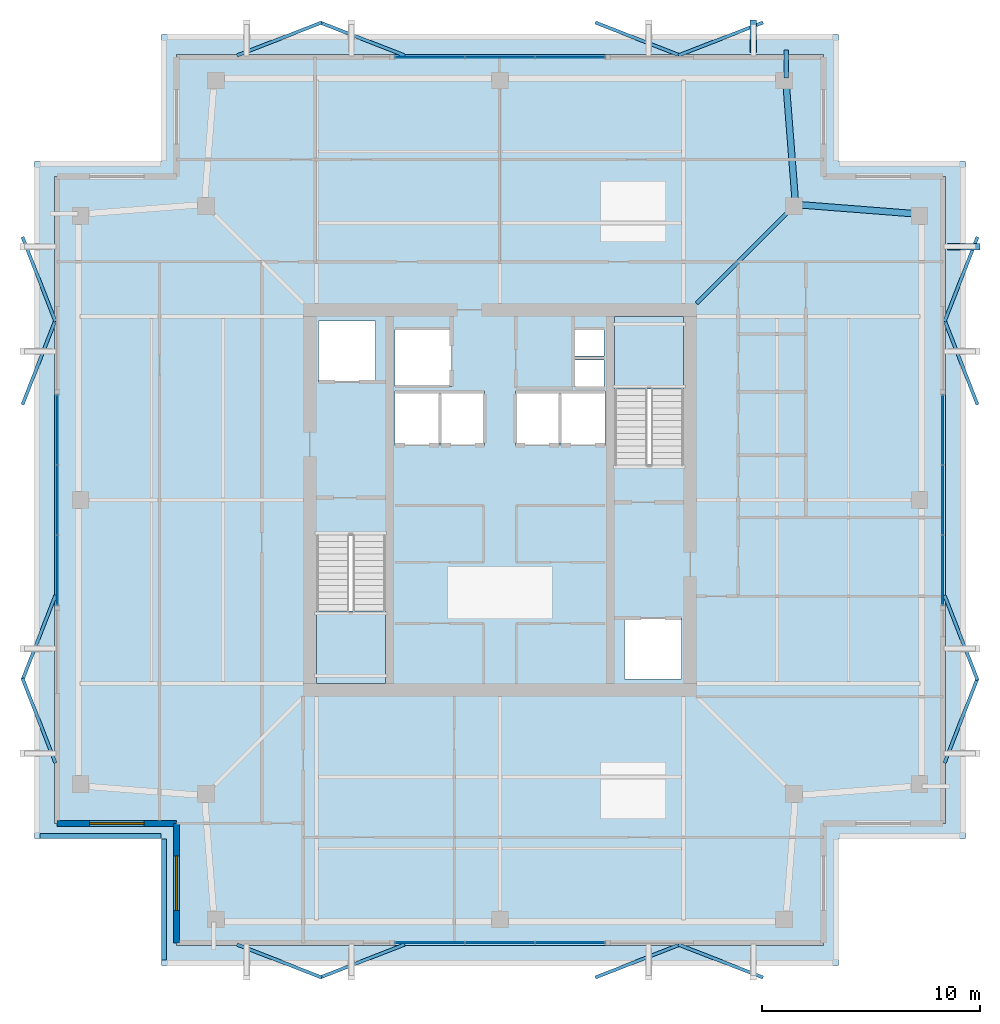
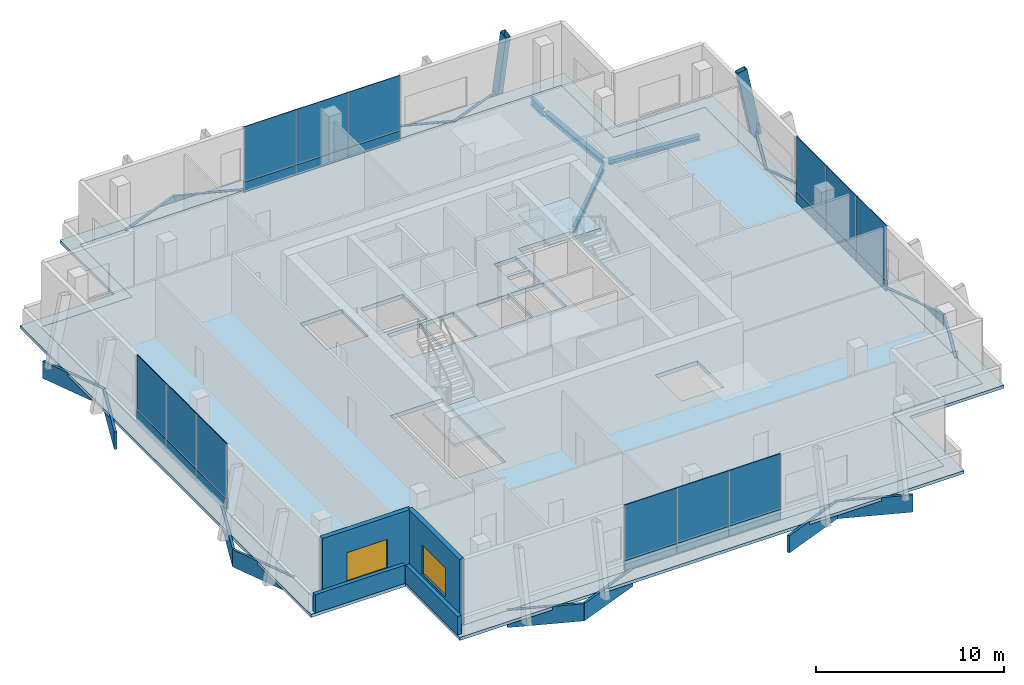
# One storey, part 12 of 17: 40 plates, 4 beams, 4 slabs, 4 walls, 2 members, 2 windows, 2 openings, 6 elements without a shape of their own.
"""IFC4 building model written with IfcOpenShell, lengths in metres."""

from ifc_helpers import new_model, si_unit, direction, frame, frame_2d, origin, origin_2d, place, context, subcontext, project, spatial, polyline, rectangle, hollow_rectangle, i_section, outline, extrude, material, layer, layer_set, material_profile, profile_set, type_object, element, fill, aggregate, save


model = new_model("IFC4")

# Units and contexts
model_context = context("Model", 3, precision=1e-05, world=origin(), true_north=direction((0.0, 1.0)))
body_context = subcontext(model_context, "Body", "Model", "MODEL_VIEW")
ifc_project = project(units=[si_unit("LENGTHUNIT", "METRE"), si_unit("AREAUNIT", "SQUARE_METRE"), si_unit("VOLUMEUNIT", "CUBIC_METRE"), si_unit("PLANEANGLEUNIT", "RADIAN"), si_unit("MASSUNIT", "GRAM", prefix="KILO")], contexts=[model_context])

# Site, building, storey
site_placement = place(None, origin())
site = spatial("IfcSite", under=ifc_project, at=site_placement, CompositionType="ELEMENT")
building_placement = place(site_placement, origin())
building = spatial("IfcBuilding", under=site, at=building_placement, Name="Belovzor Exchange Tower", CompositionType="ELEMENT")
storey_placement = place(building_placement, frame((0.0, 0.0, 355.5)))
storey = spatial("IfcBuildingStorey", under=building, at=storey_placement, Name="L89", CompositionType="ELEMENT", Elevation=355.5)

# Beam
ifc_material_1 = material(Name="Steel S355", Category="steel")
ifc_material_profile_1 = material_profile(ifc_material_1, i_section(OverallWidth=0.199951171875, OverallDepth=0.5, WebThickness=0.01025390625, FlangeThickness=0.01611328125, at=origin_2d()))
ifc_profile_set_1 = profile_set([ifc_material_profile_1], Name="Steel S355")
beam_type_1 = type_object("IfcBeamType", Name="Planted Balcony Cantilever Beam IPE 500", PredefinedType="BEAM", material=ifc_profile_set_1)
beam_1_placement = place(storey_placement, frame((41.89501953125, 48.1220703125, -0.510009765625), z_axis=(0.0, 1.0, 0.0), x_axis=(-1.0, 0.0, 0.0)))
element("IfcBeam", 1, at=beam_1_placement, inside=storey, type_object=beam_type_1, Name="BC-500 Planted Balcony Cantilever Beam IPE 500", PredefinedType="BEAM", context=body_context, shape_type="SweptSolid", body=[
    extrude(i_section(OverallWidth=0.199951171875, OverallDepth=0.5, WebThickness=0.01025390625, FlangeThickness=0.01611328125, at=origin_2d()), origin(), (0.0, 0.0, 1.0), 1.27783203125),
])

# Members
ifc_material_2 = material(Name="Extruded Architectural Terracotta on Steel S355 Carrier", Category="masonry")
ifc_material_profile_2 = material_profile(ifc_material_2, hollow_rectangle(XDim=0.300048828125, YDim=0.60009765625, WallThickness=0.01611328125, at=origin_2d()))
ifc_profile_set_2 = profile_set([ifc_material_profile_2], Name="Extruded Architectural Terracotta on Steel S355 Carrier")
member_type = type_object("IfcMemberType", Name="Upper Crown Terracotta Fin Assembly 550", PredefinedType="USERDEFINED", material=ifc_profile_set_2)
for number, where, z_axis, x_axis, name in (
    (2, (40.39990234375, 50.47509765625, -0.260009765625), (0.0, -0.196146827104, 0.980574536798), (1.0, 0.0, 0.0), "FIN-TC055 Terracotta Facade Fin L89 N4"),
    (3, (50.47509765625, 40.39990234375, -0.260009765625), (-0.196146827104, 0.0, 0.980574536798), (0.0, -1.0, 0.0), "FIN-TC055 Terracotta Facade Fin L89 E4"),
):
    element("IfcMember", number, at=place(storey_placement, frame(where, z_axis=z_axis, x_axis=x_axis)), inside=storey, type_object=member_type, Name=name, ObjectType="FIN", PredefinedType="USERDEFINED", context=body_context, shape_type="SweptSolid", body=[
        extrude(hollow_rectangle(XDim=0.300048828125, YDim=0.60009765625, WallThickness=0.01611328125, at=origin_2d()), origin(), (0.0, 0.0, 1.0), 4.589111328125),
    ])

# Beams
ifc_material_3 = material(Name="Steel S355", Category="steel")
ifc_material_profile_3 = material_profile(ifc_material_3, i_section(OverallWidth=0.179931640625, OverallDepth=0.39990234375, WebThickness=0.008544921875, FlangeThickness=0.013427734375, at=origin_2d()))
ifc_profile_set_3 = profile_set([ifc_material_profile_3], Name="Steel S355")
beam_type_2 = type_object("IfcBeamType", Name="Zone 5-6 Radial Composite Floor Beam IPE 400", PredefinedType="BEAM", material=ifc_profile_set_3)
beam_2_placement = place(storey_placement, frame((37.800048828125, 37.800048828125, -0.4599609375), z_axis=(0.707106781187, 0.707106781187, 0.0), x_axis=(-0.707106781187, 0.707106781187, 0.0)))
element("IfcBeam", 4, at=beam_2_placement, inside=storey, type_object=beam_type_2, Name="FB-400 Zone 5-6 Radial Composite Floor Beam IPE 400", PredefinedType="BEAM", context=body_context, shape_type="SweptSolid", body=[
    extrude(i_section(OverallWidth=0.179931640625, OverallDepth=0.39990234375, WebThickness=0.008544921875, FlangeThickness=0.013427734375, at=origin_2d()), origin(), (0.0, 0.0, 1.0), 6.119140625),
])
ifc_material_4 = material(Name="Steel S355", Category="steel")
ifc_material_profile_4 = material_profile(ifc_material_4, i_section(OverallWidth=0.300048828125, OverallDepth=0.300048828125, WebThickness=0.008544921875, FlangeThickness=0.013916015625, at=origin_2d()))
ifc_profile_set_4 = profile_set([ifc_material_profile_4], Name="Steel S355")
beam_type_3 = type_object("IfcBeamType", Name="Zone 6 Primary Girder HEA 300", PredefinedType="BEAM", material=ifc_profile_set_4)
for number, where, z_axis, x_axis, name in (
    (5, (47.87890625, 41.89404296875, -0.409912109375), (-0.996971216158, 0.077771422465, 0.0), (-0.077771422465, -0.996971216158, 0.0), "FG-Z6 Zone 6 Primary Girder HEA 300"),
    (6, (42.31005859375, 42.5458984375, -0.409912109375), (-0.077771422465, 0.996971216158, 0.0), (-0.996971216158, -0.077771422465, 0.0), "FG-Z6 Zone 6 Primary Girder HEA 300"),
):
    element("IfcBeam", number, at=place(storey_placement, frame(where, z_axis=z_axis, x_axis=x_axis)), inside=storey, type_object=beam_type_3, Name=name, PredefinedType="BEAM", context=body_context, shape_type="SweptSolid", body=[
        extrude(i_section(OverallWidth=0.300048828125, OverallDepth=0.300048828125, WebThickness=0.008544921875, FlangeThickness=0.013916015625, at=origin_2d()), origin(), (0.0, 0.0, 1.0), 5.34912109375),
    ])

# Slab
ifc_material_5 = material(Name="Concrete C40/50", Category="concrete")
ifc_layer_1 = layer(ifc_material_5, 0.260009765625)
ifc_layer_set_1 = layer_set([ifc_layer_1], Name="Concrete C40/50")
slab_type_1 = type_object("IfcSlabType", Name="Composite Apex Gallery Floor Slab 260", PredefinedType="FLOOR", material=ifc_layer_set_1)
slab_1_placement = place(storey_placement, frame((0.0, 0.0, -0.260009765625)))
element("IfcSlab", 7, at=slab_1_placement, inside=storey, type_object=slab_type_1, Name="SL-F260 Structural Slab L89", PredefinedType="FLOOR", context=body_context, shape_type="SweptSolid", body=[
    extrude(outline(polyline([(14.0, 8.39990234375), (43.60009765625, 8.39990234375), (43.60009765625, 14.0), (49.199951171875, 14.0), (49.199951171875, 43.60009765625), (43.60009765625, 43.60009765625), (43.60009765625, 49.199951171875), (14.0, 49.199951171875), (14.0, 43.60009765625), (8.39990234375, 43.60009765625), (8.39990234375, 14.0), (14.0, 14.0), (14.0, 8.39990234375)]), holes=[polyline([(20.39990234375, 27.175048828125), (20.39990234375, 20.39990234375), (23.550048828125, 20.39990234375), (23.550048828125, 27.175048828125), (20.39990234375, 27.175048828125)]), polyline([(37.199951171875, 30.425048828125), (37.199951171875, 37.199951171875), (34.050048828125, 37.199951171875), (34.050048828125, 30.425048828125), (37.199951171875, 30.425048828125)]), polyline([(20.5, 34.199951171875), (23.10009765625, 34.199951171875), (23.10009765625, 37.0), (20.5, 37.0), (20.5, 34.199951171875)]), polyline([(34.5, 20.60009765625), (37.10009765625, 20.60009765625), (37.10009765625, 23.39990234375), (34.5, 23.39990234375), (34.5, 20.60009765625)]), polyline([(24.0, 34.0), (26.60009765625, 34.0), (26.60009765625, 36.60009765625), (24.0, 36.60009765625), (24.0, 34.0)]), polyline([(24.0, 31.300048828125), (26.0, 31.300048828125), (26.0, 33.800048828125), (24.0, 33.800048828125), (24.0, 31.300048828125)]), polyline([(26.10009765625, 31.300048828125), (28.10009765625, 31.300048828125), (28.10009765625, 33.800048828125), (26.10009765625, 33.800048828125), (26.10009765625, 31.300048828125)]), polyline([(29.5, 31.300048828125), (31.5, 31.300048828125), (31.5, 33.800048828125), (29.5, 33.800048828125), (29.5, 31.300048828125)]), polyline([(31.60009765625, 31.300048828125), (33.60009765625, 31.300048828125), (33.60009765625, 33.800048828125), (31.60009765625, 33.800048828125), (31.60009765625, 31.300048828125)]), polyline([(32.199951171875, 34.0), (33.550048828125, 34.0), (33.550048828125, 35.199951171875), (32.199951171875, 35.199951171875), (32.199951171875, 34.0)]), polyline([(32.199951171875, 35.39990234375), (33.550048828125, 35.39990234375), (33.550048828125, 36.60009765625), (32.199951171875, 36.60009765625), (32.199951171875, 35.39990234375)])]), origin(), (0.0, 0.0, 1.0), 0.260009765625),
])

# Curtain wall, plates
ifc_material_6 = material(Name="Anodised Aluminium Framing", Category="aluminium")
ifc_layer_2 = layer(ifc_material_6, 0.169921875)
ifc_layer_set_2 = layer_set([ifc_layer_2], Name="Anodised Aluminium Framing")
curtain_wall_type = type_object("IfcCurtainWallType", Name="Stepped Crown Faceted Lantern Curtain Wall", PredefinedType="NOTDEFINED", material=ifc_layer_set_2)
curtain_wall_1_placement = place(storey_placement, origin())
curtain_wall_1 = element("IfcCurtainWall", 8, at=curtain_wall_1_placement, inside=storey, type_object=curtain_wall_type, Name="CW6 Stepped Crown Faceted Lantern Curtain Wall L89", PredefinedType="NOTDEFINED")
ifc_material_7 = material(Name="Solar-Control Triple Glazing", Category="glass")
ifc_layer_3 = layer(ifc_material_7, 0.0439453125)
ifc_layer_set_3 = layer_set([ifc_layer_3], Name="Solar-Control Triple Glazing")
plate_type_1 = type_object("IfcPlateType", Name="Insulated Solar Glazing Curtain Panel 44", PredefinedType="CURTAIN_PANEL", material=ifc_layer_set_3)
plate_1_placement = place(storey_placement, frame((32.0, 8.530029296875, 0.652099609375), z_axis=(0.0, 0.0, 1.0), x_axis=(-1.0, 0.0, 0.0)))
plate_1 = element("IfcPlate", 9, at=plate_1_placement, type_object=plate_type_1, Name="GLZ-44 Glazed Curtain Panel 1", PredefinedType="CURTAIN_PANEL", context=body_context, shape_type="SweptSolid", body=[
    extrude(rectangle(XDim=3.18408203125, YDim=0.0439453125, at=origin_2d()), origin(), (0.0, 0.0, 1.0), 3.587890625),
])
plate_2_placement = place(storey_placement, frame((28.800048828125, 8.530029296875, 0.652099609375), z_axis=(0.0, 0.0, 1.0), x_axis=(-1.0, 0.0, 0.0)))
plate_2 = element("IfcPlate", 10, at=plate_2_placement, type_object=plate_type_1, Name="GLZ-44 Glazed Curtain Panel 2", PredefinedType="CURTAIN_PANEL", context=body_context, shape_type="SweptSolid", body=[
    extrude(rectangle(XDim=3.18408203125, YDim=0.0439453125, at=origin_2d()), origin(), (0.0, 0.0, 1.0), 3.587890625),
])
plate_3_placement = place(storey_placement, frame((25.60009765625, 8.530029296875, 0.652099609375), z_axis=(0.0, 0.0, 1.0), x_axis=(-1.0, 0.0, 0.0)))
plate_3 = element("IfcPlate", 11, at=plate_3_placement, type_object=plate_type_1, Name="GLZ-44 Glazed Curtain Panel 3", PredefinedType="CURTAIN_PANEL", context=body_context, shape_type="SweptSolid", body=[
    extrude(rectangle(XDim=3.18408203125, YDim=0.0439453125, at=origin_2d()), origin(), (0.0, 0.0, 1.0), 3.587890625),
])

curtain_wall_2_placement = place(storey_placement, origin())
curtain_wall_2 = element("IfcCurtainWall", 12, at=curtain_wall_2_placement, inside=storey, type_object=curtain_wall_type, Name="CW6 Stepped Crown Faceted Lantern Curtain Wall L89", PredefinedType="NOTDEFINED")
plate_4_placement = place(storey_placement, frame((25.60009765625, 49.070068359375, 0.652099609375), z_axis=(0.0, 0.0, 1.0), x_axis=(1.0, 0.0, 0.0)))
plate_4 = element("IfcPlate", 13, at=plate_4_placement, type_object=plate_type_1, Name="GLZ-44 Glazed Curtain Panel 1", PredefinedType="CURTAIN_PANEL", context=body_context, shape_type="SweptSolid", body=[
    extrude(rectangle(XDim=3.18408203125, YDim=0.0439453125, at=origin_2d()), origin(), (0.0, 0.0, 1.0), 3.587890625),
])
plate_5_placement = place(storey_placement, frame((28.800048828125, 49.070068359375, 0.652099609375), z_axis=(0.0, 0.0, 1.0), x_axis=(1.0, 0.0, 0.0)))
plate_5 = element("IfcPlate", 14, at=plate_5_placement, type_object=plate_type_1, Name="GLZ-44 Glazed Curtain Panel 2", PredefinedType="CURTAIN_PANEL", context=body_context, shape_type="SweptSolid", body=[
    extrude(rectangle(XDim=3.18408203125, YDim=0.0439453125, at=origin_2d()), origin(), (0.0, 0.0, 1.0), 3.587890625),
])
plate_6_placement = place(storey_placement, frame((32.0, 49.070068359375, 0.652099609375), z_axis=(0.0, 0.0, 1.0), x_axis=(1.0, 0.0, 0.0)))
plate_6 = element("IfcPlate", 15, at=plate_6_placement, type_object=plate_type_1, Name="GLZ-44 Glazed Curtain Panel 3", PredefinedType="CURTAIN_PANEL", context=body_context, shape_type="SweptSolid", body=[
    extrude(rectangle(XDim=3.18408203125, YDim=0.0439453125, at=origin_2d()), origin(), (0.0, 0.0, 1.0), 3.587890625),
])

curtain_wall_3_placement = place(storey_placement, origin())
curtain_wall_3 = element("IfcCurtainWall", 16, at=curtain_wall_3_placement, inside=storey, type_object=curtain_wall_type, Name="CW6 Stepped Crown Faceted Lantern Curtain Wall L89", PredefinedType="NOTDEFINED")
plate_7_placement = place(storey_placement, frame((8.530029296875, 25.60009765625, 0.652099609375), z_axis=(0.0, 0.0, 1.0), x_axis=(0.0, 1.0, 0.0)))
plate_7 = element("IfcPlate", 17, at=plate_7_placement, type_object=plate_type_1, Name="GLZ-44 Glazed Curtain Panel 1", PredefinedType="CURTAIN_PANEL", context=body_context, shape_type="SweptSolid", body=[
    extrude(rectangle(XDim=3.18408203125, YDim=0.0439453125, at=origin_2d()), origin(), (0.0, 0.0, 1.0), 3.587890625),
])
plate_8_placement = place(storey_placement, frame((8.530029296875, 28.800048828125, 0.652099609375), z_axis=(0.0, 0.0, 1.0), x_axis=(0.0, 1.0, 0.0)))
plate_8 = element("IfcPlate", 18, at=plate_8_placement, type_object=plate_type_1, Name="GLZ-44 Glazed Curtain Panel 2", PredefinedType="CURTAIN_PANEL", context=body_context, shape_type="SweptSolid", body=[
    extrude(rectangle(XDim=3.18408203125, YDim=0.0439453125, at=origin_2d()), origin(), (0.0, 0.0, 1.0), 3.587890625),
])
plate_9_placement = place(storey_placement, frame((8.530029296875, 32.0, 0.652099609375), z_axis=(0.0, 0.0, 1.0), x_axis=(0.0, 1.0, 0.0)))
plate_9 = element("IfcPlate", 19, at=plate_9_placement, type_object=plate_type_1, Name="GLZ-44 Glazed Curtain Panel 3", PredefinedType="CURTAIN_PANEL", context=body_context, shape_type="SweptSolid", body=[
    extrude(rectangle(XDim=3.18408203125, YDim=0.0439453125, at=origin_2d()), origin(), (0.0, 0.0, 1.0), 3.587890625),
])

curtain_wall_4_placement = place(storey_placement, origin())
curtain_wall_4 = element("IfcCurtainWall", 20, at=curtain_wall_4_placement, inside=storey, type_object=curtain_wall_type, Name="CW6 Stepped Crown Faceted Lantern Curtain Wall L89", PredefinedType="NOTDEFINED")
plate_10_placement = place(storey_placement, frame((49.070068359375, 32.0, 0.652099609375), z_axis=(0.0, 0.0, 1.0), x_axis=(0.0, -1.0, 0.0)))
plate_10 = element("IfcPlate", 21, at=plate_10_placement, type_object=plate_type_1, Name="GLZ-44 Glazed Curtain Panel 1", PredefinedType="CURTAIN_PANEL", context=body_context, shape_type="SweptSolid", body=[
    extrude(rectangle(XDim=3.18408203125, YDim=0.0439453125, at=origin_2d()), origin(), (0.0, 0.0, 1.0), 3.587890625),
])
plate_11_placement = place(storey_placement, frame((49.070068359375, 28.800048828125, 0.652099609375), z_axis=(0.0, 0.0, 1.0), x_axis=(0.0, -1.0, 0.0)))
plate_11 = element("IfcPlate", 22, at=plate_11_placement, type_object=plate_type_1, Name="GLZ-44 Glazed Curtain Panel 2", PredefinedType="CURTAIN_PANEL", context=body_context, shape_type="SweptSolid", body=[
    extrude(rectangle(XDim=3.18408203125, YDim=0.0439453125, at=origin_2d()), origin(), (0.0, 0.0, 1.0), 3.587890625),
])
plate_12_placement = place(storey_placement, frame((49.070068359375, 25.60009765625, 0.652099609375), z_axis=(0.0, 0.0, 1.0), x_axis=(0.0, -1.0, 0.0)))
plate_12 = element("IfcPlate", 23, at=plate_12_placement, type_object=plate_type_1, Name="GLZ-44 Glazed Curtain Panel 3", PredefinedType="CURTAIN_PANEL", context=body_context, shape_type="SweptSolid", body=[
    extrude(rectangle(XDim=3.18408203125, YDim=0.0439453125, at=origin_2d()), origin(), (0.0, 0.0, 1.0), 3.587890625),
])

# Stair, slab
ifc_material_8 = material(Name="Concrete C40/50", Category="concrete")
stair_type = type_object("IfcStairType", Name="Reinforced Concrete Dogleg Escape Stair 1350", PredefinedType="HALF_TURN_STAIR", material=ifc_material_8)
stair_1_placement = place(storey_placement, origin())
stair_1 = element("IfcStair", 24, at=stair_1_placement, inside=storey, type_object=stair_type, Name="L89 ST-1", PredefinedType="HALF_TURN_STAIR")
ifc_material_9 = material(Name="Concrete C40/50", Category="concrete")
ifc_layer_4 = layer(ifc_material_9, 0.199951171875)
ifc_layer_set_4 = layer_set([ifc_layer_4], Name="Concrete C40/50")
slab_type_2 = type_object("IfcSlabType", Name="Reinforced Concrete Stair Half-Landing Slab 200", PredefinedType="LANDING", material=ifc_layer_set_4)
slab_2_placement = place(storey_placement, frame((0.0, 0.0, 2.050048828125)))
slab_2 = element("IfcSlab", 25, at=slab_2_placement, type_object=slab_type_2, Name="ST-1 landing 1", PredefinedType="LANDING", context=body_context, shape_type="SweptSolid", body=[
    extrude(outline(polyline([(20.39990234375, 23.719970703125), (20.39990234375, 20.39990234375), (23.550048828125, 20.39990234375), (23.550048828125, 23.719970703125), (20.39990234375, 23.719970703125)])), origin(), (0.0, 0.0, 1.0), 0.199951171875),
])
aggregate(stair_1, [slab_2])

stair_2_placement = place(storey_placement, origin())
stair_2 = element("IfcStair", 26, at=stair_2_placement, inside=storey, type_object=stair_type, Name="L89 ST-2", PredefinedType="HALF_TURN_STAIR")
slab_3_placement = place(storey_placement, frame((0.0, 0.0, 2.050048828125)))
slab_3 = element("IfcSlab", 27, at=slab_3_placement, type_object=slab_type_2, Name="ST-2 landing 1", PredefinedType="LANDING", context=body_context, shape_type="SweptSolid", body=[
    extrude(outline(polyline([(37.199951171875, 33.8798828125), (37.199951171875, 37.199951171875), (34.050048828125, 37.199951171875), (34.050048828125, 33.8798828125), (37.199951171875, 33.8798828125)])), origin(), (0.0, 0.0, 1.0), 0.199951171875),
])
aggregate(stair_2, [slab_3])

# Slab
ifc_material_10 = material(Name="Concrete C40/50", Category="concrete")
ifc_layer_5 = layer(ifc_material_10, 0.199951171875)
ifc_layer_set_5 = layer_set([ifc_layer_5], Name="Concrete C40/50")
slab_type_3 = type_object("IfcSlabType", Name="Setback Weathering Roof Ring Slab 200", PredefinedType="ROOF", material=ifc_layer_set_5)
slab_4_placement = place(storey_placement, frame((0.0, 0.0, -0.199951171875)))
element("IfcSlab", 28, at=slab_4_placement, inside=storey, type_object=slab_type_3, Name="SL-RF200A Setback Weathering Roof Ring L88", PredefinedType="ROOF", context=body_context, shape_type="SweptSolid", body=[
    extrude(outline(polyline([(13.300048828125, 7.5), (44.300048828125, 7.5), (44.300048828125, 13.300048828125), (50.10009765625, 13.300048828125), (50.10009765625, 44.300048828125), (44.300048828125, 44.300048828125), (44.300048828125, 50.10009765625), (13.300048828125, 50.10009765625), (13.300048828125, 44.300048828125), (7.5, 44.300048828125), (7.5, 13.300048828125), (13.300048828125, 13.300048828125), (13.300048828125, 7.5)]), holes=[polyline([(14.0, 8.39990234375), (43.60009765625, 8.39990234375), (43.60009765625, 14.0), (49.199951171875, 14.0), (49.199951171875, 43.60009765625), (43.60009765625, 43.60009765625), (43.60009765625, 49.199951171875), (14.0, 49.199951171875), (14.0, 43.60009765625), (8.39990234375, 43.60009765625), (8.39990234375, 14.0), (14.0, 14.0), (14.0, 8.39990234375)])]), origin(), (0.0, 0.0, 1.0), 0.199951171875),
])

# Plate
ifc_material_11 = material(Name="Extruded Architectural Terracotta", Category="masonry")
ifc_layer_6 = layer(ifc_material_11, 0.090087890625)
ifc_layer_set_6 = layer_set([ifc_layer_6], Name="Extruded Architectural Terracotta")
plate_type_2 = type_object("IfcPlateType", Name="Terracotta Shadow-Box Spandrel Panel 90", PredefinedType="CURTAIN_PANEL", material=ifc_layer_set_6)
plate_13_placement = place(storey_placement, frame((32.0, 8.530029296875, 0.0), z_axis=(0.0, 0.0, 1.0), x_axis=(-1.0, 0.0, 0.0)))
plate_13 = element("IfcPlate", 29, at=plate_13_placement, type_object=plate_type_2, Name="SPD-90 Spandrel Panel 1", PredefinedType="CURTAIN_PANEL", context=body_context, shape_type="SweptSolid", body=[
    extrude(rectangle(XDim=3.18408203125, YDim=0.090087890625, at=origin_2d()), origin(), (0.0, 0.0, 1.0), 0.64794921875),
])

plate_14_placement = place(storey_placement, frame((28.800048828125, 8.530029296875, 0.0), z_axis=(0.0, 0.0, 1.0), x_axis=(-1.0, 0.0, 0.0)))
plate_14 = element("IfcPlate", 30, at=plate_14_placement, type_object=plate_type_2, Name="SPD-90 Spandrel Panel 2", PredefinedType="CURTAIN_PANEL", context=body_context, shape_type="SweptSolid", body=[
    extrude(rectangle(XDim=3.18408203125, YDim=0.090087890625, at=origin_2d()), origin(), (0.0, 0.0, 1.0), 0.64794921875),
])

plate_15_placement = place(storey_placement, frame((25.60009765625, 8.530029296875, 0.0), z_axis=(0.0, 0.0, 1.0), x_axis=(-1.0, 0.0, 0.0)))
plate_15 = element("IfcPlate", 31, at=plate_15_placement, type_object=plate_type_2, Name="SPD-90 Spandrel Panel 3", PredefinedType="CURTAIN_PANEL", context=body_context, shape_type="SweptSolid", body=[
    extrude(rectangle(XDim=3.18408203125, YDim=0.090087890625, at=origin_2d()), origin(), (0.0, 0.0, 1.0), 0.64794921875),
])

aggregate(curtain_wall_1, [plate_13, plate_1, plate_14, plate_2, plate_15, plate_3])

plate_16_placement = place(storey_placement, frame((25.60009765625, 49.070068359375, 0.0), z_axis=(0.0, 0.0, 1.0), x_axis=(1.0, 0.0, 0.0)))
plate_16 = element("IfcPlate", 32, at=plate_16_placement, type_object=plate_type_2, Name="SPD-90 Spandrel Panel 1", PredefinedType="CURTAIN_PANEL", context=body_context, shape_type="SweptSolid", body=[
    extrude(rectangle(XDim=3.18408203125, YDim=0.090087890625, at=origin_2d()), origin(), (0.0, 0.0, 1.0), 0.64794921875),
])

plate_17_placement = place(storey_placement, frame((28.800048828125, 49.070068359375, 0.0), z_axis=(0.0, 0.0, 1.0), x_axis=(1.0, 0.0, 0.0)))
plate_17 = element("IfcPlate", 33, at=plate_17_placement, type_object=plate_type_2, Name="SPD-90 Spandrel Panel 2", PredefinedType="CURTAIN_PANEL", context=body_context, shape_type="SweptSolid", body=[
    extrude(rectangle(XDim=3.18408203125, YDim=0.090087890625, at=origin_2d()), origin(), (0.0, 0.0, 1.0), 0.64794921875),
])

plate_18_placement = place(storey_placement, frame((32.0, 49.070068359375, 0.0), z_axis=(0.0, 0.0, 1.0), x_axis=(1.0, 0.0, 0.0)))
plate_18 = element("IfcPlate", 34, at=plate_18_placement, type_object=plate_type_2, Name="SPD-90 Spandrel Panel 3", PredefinedType="CURTAIN_PANEL", context=body_context, shape_type="SweptSolid", body=[
    extrude(rectangle(XDim=3.18408203125, YDim=0.090087890625, at=origin_2d()), origin(), (0.0, 0.0, 1.0), 0.64794921875),
])

aggregate(curtain_wall_2, [plate_16, plate_4, plate_17, plate_5, plate_18, plate_6])

plate_19_placement = place(storey_placement, frame((8.530029296875, 25.60009765625, 0.0), z_axis=(0.0, 0.0, 1.0), x_axis=(0.0, 1.0, 0.0)))
plate_19 = element("IfcPlate", 35, at=plate_19_placement, type_object=plate_type_2, Name="SPD-90 Spandrel Panel 1", PredefinedType="CURTAIN_PANEL", context=body_context, shape_type="SweptSolid", body=[
    extrude(rectangle(XDim=3.18408203125, YDim=0.090087890625, at=origin_2d()), origin(), (0.0, 0.0, 1.0), 0.64794921875),
])

plate_20_placement = place(storey_placement, frame((8.530029296875, 28.800048828125, 0.0), z_axis=(0.0, 0.0, 1.0), x_axis=(0.0, 1.0, 0.0)))
plate_20 = element("IfcPlate", 36, at=plate_20_placement, type_object=plate_type_2, Name="SPD-90 Spandrel Panel 2", PredefinedType="CURTAIN_PANEL", context=body_context, shape_type="SweptSolid", body=[
    extrude(rectangle(XDim=3.18408203125, YDim=0.090087890625, at=origin_2d()), origin(), (0.0, 0.0, 1.0), 0.64794921875),
])

plate_21_placement = place(storey_placement, frame((8.530029296875, 32.0, 0.0), z_axis=(0.0, 0.0, 1.0), x_axis=(0.0, 1.0, 0.0)))
plate_21 = element("IfcPlate", 37, at=plate_21_placement, type_object=plate_type_2, Name="SPD-90 Spandrel Panel 3", PredefinedType="CURTAIN_PANEL", context=body_context, shape_type="SweptSolid", body=[
    extrude(rectangle(XDim=3.18408203125, YDim=0.090087890625, at=origin_2d()), origin(), (0.0, 0.0, 1.0), 0.64794921875),
])

aggregate(curtain_wall_3, [plate_19, plate_7, plate_20, plate_8, plate_21, plate_9])

plate_22_placement = place(storey_placement, frame((49.070068359375, 32.0, 0.0), z_axis=(0.0, 0.0, 1.0), x_axis=(0.0, -1.0, 0.0)))
plate_22 = element("IfcPlate", 38, at=plate_22_placement, type_object=plate_type_2, Name="SPD-90 Spandrel Panel 1", PredefinedType="CURTAIN_PANEL", context=body_context, shape_type="SweptSolid", body=[
    extrude(rectangle(XDim=3.18408203125, YDim=0.090087890625, at=origin_2d()), origin(), (0.0, 0.0, 1.0), 0.64794921875),
])

plate_23_placement = place(storey_placement, frame((49.070068359375, 28.800048828125, 0.0), z_axis=(0.0, 0.0, 1.0), x_axis=(0.0, -1.0, 0.0)))
plate_23 = element("IfcPlate", 39, at=plate_23_placement, type_object=plate_type_2, Name="SPD-90 Spandrel Panel 2", PredefinedType="CURTAIN_PANEL", context=body_context, shape_type="SweptSolid", body=[
    extrude(rectangle(XDim=3.18408203125, YDim=0.090087890625, at=origin_2d()), origin(), (0.0, 0.0, 1.0), 0.64794921875),
])

plate_24_placement = place(storey_placement, frame((49.070068359375, 25.60009765625, 0.0), z_axis=(0.0, 0.0, 1.0), x_axis=(0.0, -1.0, 0.0)))
plate_24 = element("IfcPlate", 40, at=plate_24_placement, type_object=plate_type_2, Name="SPD-90 Spandrel Panel 3", PredefinedType="CURTAIN_PANEL", context=body_context, shape_type="SweptSolid", body=[
    extrude(rectangle(XDim=3.18408203125, YDim=0.090087890625, at=origin_2d()), origin(), (0.0, 0.0, 1.0), 0.64794921875),
])

aggregate(curtain_wall_4, [plate_22, plate_10, plate_23, plate_11, plate_24, plate_12])

# Plates
ifc_material_12 = material(Name="Extruded Architectural Terracotta", Category="masonry")
ifc_layer_7 = layer(ifc_material_12, 0.14990234375)
ifc_layer_set_7 = layer_set([ifc_layer_7], Name="Extruded Architectural Terracotta")
plate_type_3 = type_object("IfcPlateType", Name="Upper-Crown Deep Folded Zigzag Terracotta Spandrel Louvre 150", PredefinedType="USERDEFINED", material=ifc_layer_set_7)
for number, where, z_axis, x_axis, name in (
    (41, (18.699951171875, 7.699951171875, -1.10498046875), (0.0, 0.0, 1.0), (0.931817969421, -0.362925986758, 0.0), "LVR-ZZ3 Zigzag Terracotta Spandrel Louvre L89 S1A"),
    (42, (22.5, 7.699951171875, -1.10498046875), (0.0, 0.0, 1.0), (0.931817969421, 0.362925986758, 0.0), "LVR-ZZ3 Zigzag Terracotta Spandrel Louvre L89 S1B"),
    (43, (18.699951171875, 49.89990234375, -1.10498046875), (0.0, 0.0, 1.0), (0.931817969421, 0.362925986758, 0.0), "LVR-ZZ3 Zigzag Terracotta Spandrel Louvre L89 N1A"),
    (44, (22.5, 49.89990234375, -1.10498046875), (0.0, 0.0, 1.0), (0.931817969421, -0.362925986758, 0.0), "LVR-ZZ3 Zigzag Terracotta Spandrel Louvre L89 N1B"),
    (45, (7.699951171875, 18.699951171875, -1.10498046875), (0.0, 0.0, 1.0), (-0.362925986758, 0.931817969421, 0.0), "LVR-ZZ3 Zigzag Terracotta Spandrel Louvre L89 W1A"),
    (46, (7.699951171875, 22.5, -1.10498046875), (0.0, 0.0, 1.0), (0.362925986758, 0.931817969421, 0.0), "LVR-ZZ3 Zigzag Terracotta Spandrel Louvre L89 W1B"),
    (47, (49.89990234375, 18.699951171875, -1.10498046875), (0.0, 0.0, 1.0), (0.362925986758, 0.931817969421, 0.0), "LVR-ZZ3 Zigzag Terracotta Spandrel Louvre L89 E1A"),
    (48, (49.89990234375, 22.5, -1.10498046875), (0.0, 0.0, 1.0), (-0.362925986758, 0.931817969421, 0.0), "LVR-ZZ3 Zigzag Terracotta Spandrel Louvre L89 E1B"),
    (49, (35.10009765625, 7.699951171875, -1.10498046875), (0.0, 0.0, 1.0), (0.931817969421, 0.362925986758, 0.0), "LVR-ZZ3 Zigzag Terracotta Spandrel Louvre L89 S2A"),
    (50, (38.89990234375, 7.699951171875, -1.10498046875), (0.0, 0.0, 1.0), (0.931817969421, -0.362925986758, 0.0), "LVR-ZZ3 Zigzag Terracotta Spandrel Louvre L89 S2B"),
    (51, (35.10009765625, 49.89990234375, -1.10498046875), (0.0, 0.0, 1.0), (0.931817969421, -0.362925986758, 0.0), "LVR-ZZ3 Zigzag Terracotta Spandrel Louvre L89 N2A"),
    (52, (38.89990234375, 49.89990234375, -1.10498046875), (0.0, 0.0, 1.0), (0.931817969421, 0.362925986758, 0.0), "LVR-ZZ3 Zigzag Terracotta Spandrel Louvre L89 N2B"),
    (53, (7.699951171875, 35.10009765625, -1.10498046875), (0.0, 0.0, 1.0), (0.362925986758, 0.931817969421, 0.0), "LVR-ZZ3 Zigzag Terracotta Spandrel Louvre L89 W2A"),
    (54, (7.699951171875, 38.89990234375, -1.10498046875), (0.0, 0.0, 1.0), (-0.362925986758, 0.931817969421, 0.0), "LVR-ZZ3 Zigzag Terracotta Spandrel Louvre L89 W2B"),
    (55, (49.89990234375, 35.10009765625, -1.10498046875), (0.0, 0.0, 1.0), (-0.362925986758, 0.931817969421, 0.0), "LVR-ZZ3 Zigzag Terracotta Spandrel Louvre L89 E2A"),
    (56, (49.89990234375, 38.89990234375, -1.10498046875), (0.0, 0.0, 1.0), (0.362925986758, 0.931817969421, 0.0), "LVR-ZZ3 Zigzag Terracotta Spandrel Louvre L89 E2B"),
):
    element("IfcPlate", number, at=place(storey_placement, frame(where, z_axis=z_axis, x_axis=x_axis)), inside=storey, type_object=plate_type_3, Name=name, ObjectType="SPANDREL_LOUVRE", PredefinedType="USERDEFINED", context=body_context, shape_type="SweptSolid", body=[
        extrude(rectangle(XDim=4.157958984375, YDim=0.14990234375, at=origin_2d()), origin(), (0.0, 0.0, 1.0), 1.1201171875),
    ])

# Wall, opening, window
ifc_material_13 = material(Name="Precast concrete C40/50", Category="concrete")
ifc_layer_8 = layer(ifc_material_13, 0.280029296875)
ifc_layer_set_8 = layer_set([ifc_layer_8], Name="Precast concrete C40/50")
wall_type_1 = type_object("IfcWallType", Name="Precast Concrete Notched Corner Frame Wall 280", PredefinedType="SOLIDWALL", material=ifc_layer_set_8)
wall_1_placement = place(storey_placement, frame((14.0, 8.530029296875, 0.0), z_axis=(0.0, 0.0, 1.0), x_axis=(0.0, 1.0, 0.0)))
wall_1 = element("IfcWall", 57, at=wall_1_placement, inside=storey, type_object=wall_type_1, Name="W-CRN280 Precast Concrete Notched Corner Frame Wall 280 L89", PredefinedType="SOLIDWALL", context=body_context, shape_type="SweptSolid", body=[
    extrude(rectangle(XDim=5.469970703125, YDim=0.280029296875, at=frame_2d((2.73486328125, 0.0))), origin(), (0.0, 0.0, 1.0), 4.239990234375),
])
opening_1_placement = place(wall_1_placement, frame((1.485107421875, 0.0, 0.89990234375)))
opening_1 = element("IfcOpeningElement", 58, at=opening_1_placement, cuts=wall_1, Name="Opening WN-CRN250", PredefinedType="OPENING", context=body_context, shape_type="SweptSolid", body=[
    extrude(rectangle(XDim=2.5, YDim=1.89990234375, at=frame_2d((1.25, 0.949951171875))), frame((0.0, 0.14990234375, 0.0), z_axis=(0.0, -1.0, 0.0), x_axis=(1.0, 0.0, 0.0)), (0.0, 0.0, 1.0), 0.300048828125),
])
ifc_material_14 = material(Name="Thermally Broken Aluminium and Triple Glazing", Category="aluminium")
window_type = type_object("IfcWindowType", Name="Streamline Moderne Corner Wrap Ribbon Window 2500x1900", PartitioningType="SINGLE_PANEL", PredefinedType="WINDOW", material=ifc_material_14)
window_1_placement = place(opening_1_placement, origin())
window_1 = element("IfcWindow", 59, at=window_1_placement, inside=storey, type_object=window_type, Name="WN-CRN250 Streamline Moderne Corner Wrap Ribbon Window 2500x1900", OverallHeight=1.89990234375, OverallWidth=2.5, PartitioningType="SINGLE_PANEL", PredefinedType="WINDOW", context=body_context, shape_type="SweptSolid", body=[
    extrude(rectangle(XDim=2.5, YDim=1.89990234375, at=frame_2d((1.25, 0.949951171875))), frame((0.0, 0.030029296875, 0.0), z_axis=(0.0, -1.0, 0.0), x_axis=(1.0, 0.0, 0.0)), (0.0, 0.0, 1.0), 0.06005859375),
])
fill(opening_1, window_1)

wall_2_placement = place(storey_placement, frame((14.0, 14.0, 0.0), z_axis=(0.0, 0.0, 1.0), x_axis=(-1.0, 0.0, 0.0)))
wall_2 = element("IfcWall", 60, at=wall_2_placement, inside=storey, type_object=wall_type_1, Name="W-CRN280 Precast Concrete Notched Corner Frame Wall 280 L89", PredefinedType="SOLIDWALL", context=body_context, shape_type="SweptSolid", body=[
    extrude(rectangle(XDim=5.469970703125, YDim=0.280029296875, at=frame_2d((2.73486328125, 0.0))), origin(), (0.0, 0.0, 1.0), 4.239990234375),
])
opening_2_placement = place(wall_2_placement, frame((1.485107421875, 0.0, 0.89990234375)))
opening_2 = element("IfcOpeningElement", 61, at=opening_2_placement, cuts=wall_2, Name="Opening WN-CRN250", PredefinedType="OPENING", context=body_context, shape_type="SweptSolid", body=[
    extrude(rectangle(XDim=2.5, YDim=1.89990234375, at=frame_2d((1.25, 0.949951171875))), frame((0.0, 0.14990234375, 0.0), z_axis=(0.0, -1.0, 0.0), x_axis=(1.0, 0.0, 0.0)), (0.0, 0.0, 1.0), 0.300048828125),
])
window_2_placement = place(opening_2_placement, origin())
window_2 = element("IfcWindow", 62, at=window_2_placement, inside=storey, type_object=window_type, Name="WN-CRN250 Streamline Moderne Corner Wrap Ribbon Window 2500x1900", OverallHeight=1.89990234375, OverallWidth=2.5, PartitioningType="SINGLE_PANEL", PredefinedType="WINDOW", context=body_context, shape_type="SweptSolid", body=[
    extrude(rectangle(XDim=2.5, YDim=1.89990234375, at=frame_2d((1.25, 0.949951171875))), frame((0.0, 0.030029296875, 0.0), z_axis=(0.0, -1.0, 0.0), x_axis=(1.0, 0.0, 0.0)), (0.0, 0.0, 1.0), 0.06005859375),
])
fill(opening_2, window_2)

# Walls
ifc_material_15 = material(Name="Precast concrete C40/50", Category="concrete")
ifc_layer_9 = layer(ifc_material_15, 0.239990234375)
ifc_layer_set_9 = layer_set([ifc_layer_9], Name="Precast concrete C40/50")
wall_type_2 = type_object("IfcWallType", Name="Precast Stone Setback Roof Parapet Wall 240", PredefinedType="PARAPET", material=ifc_layer_set_9)
for number, where, z_axis, x_axis, name in (
    (63, (7.7548828125, 13.419921875, 0.0), (0.0, 0.0, 1.0), (1.0, 0.0, 0.0), "W-PAR240 Precast Stone Setback Roof Parapet Wall 240 L89"),
    (64, (13.419921875, 13.284912109375, 0.0), (0.0, 0.0, 1.0), (0.0, -1.0, 0.0), "W-PAR240 Precast Stone Setback Roof Parapet Wall 240 L89"),
):
    element("IfcWall", number, at=place(storey_placement, frame(where, z_axis=z_axis, x_axis=x_axis)), inside=storey, type_object=wall_type_2, Name=name, PredefinedType="PARAPET", context=body_context, shape_type="SweptSolid", body=[
        extrude(rectangle(XDim=5.530029296875, YDim=0.239990234375, at=frame_2d((2.76513671875, 0.0))), origin(), (0.0, 0.0, 1.0), 1.199951171875),
    ])

save(model, "model.ifc")
